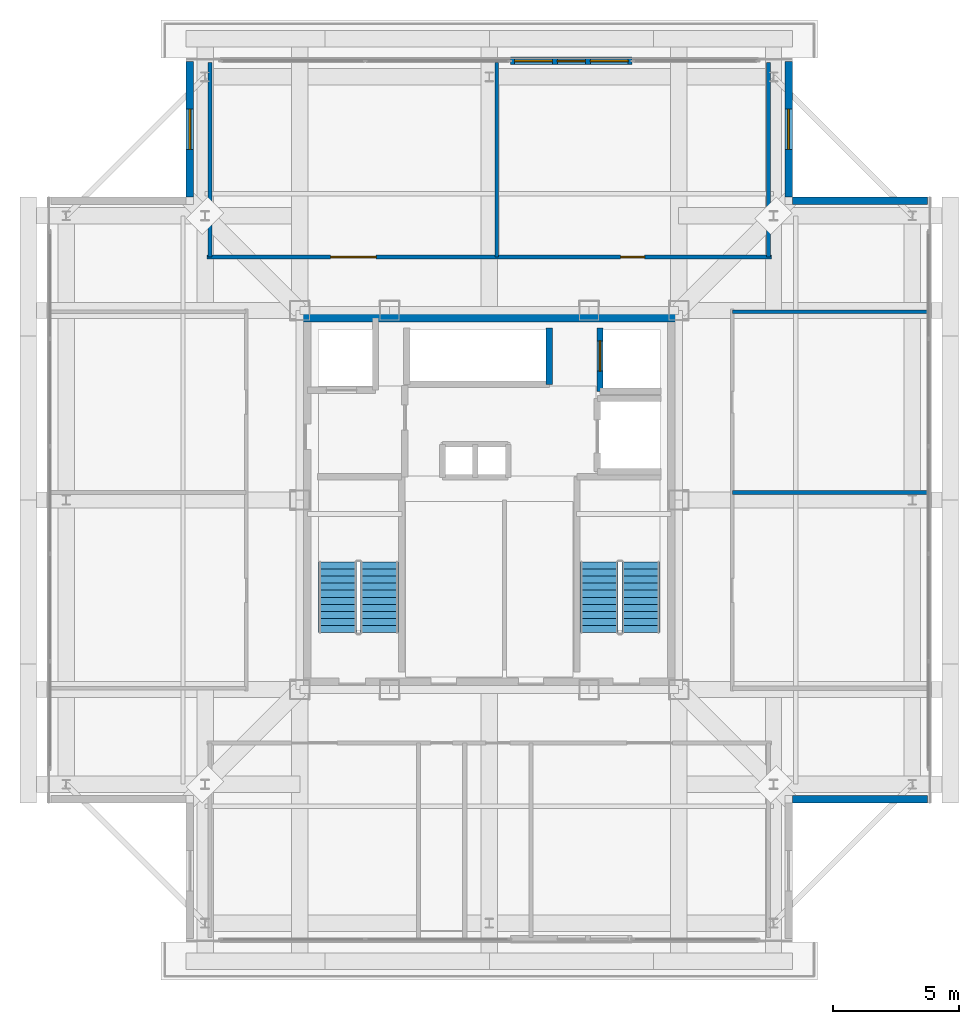
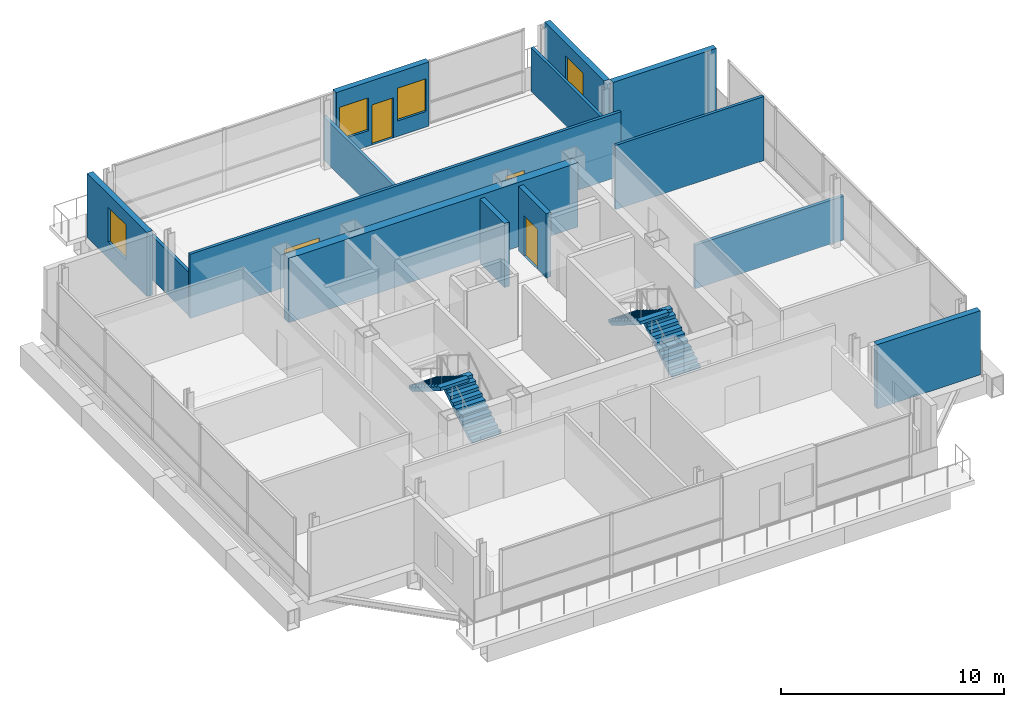
# One storey, part 10 of 15: 14 walls, 4 doors, 4 stair flights, 4 windows, 8 openings, 2 elements without a shape of their own.
"""IFC4 building model written with IfcOpenShell, lengths in metres."""

from ifc_helpers import new_model, si_unit, direction, frame, frame_2d, origin, place, context, subcontext, project, spatial, polyline, rectangle, outline, extrude, material, layer, layer_set, type_object, element, fill, aggregate, save


model = new_model("IFC4")

# Units and contexts
model_context = context("Model", 3, precision=1e-05, world=origin(), true_north=direction((0.0, 1.0)))
body_context = subcontext(model_context, "Body", "Model", "MODEL_VIEW")
ifc_project = project(units=[si_unit("LENGTHUNIT", "METRE"), si_unit("AREAUNIT", "SQUARE_METRE"), si_unit("VOLUMEUNIT", "CUBIC_METRE"), si_unit("PLANEANGLEUNIT", "RADIAN"), si_unit("MASSUNIT", "GRAM", prefix="KILO")], contexts=[model_context])

# Site, building, storey
site_placement = place(None, origin())
site = spatial("IfcSite", under=ifc_project, at=site_placement, CompositionType="ELEMENT")
building_placement = place(site_placement, origin())
building = spatial("IfcBuilding", under=site, at=building_placement, Name="Trevonay Congress Spire", CompositionType="ELEMENT")
storey_placement = place(building_placement, frame((0.0, 0.0, 300.800048828125)))
storey = spatial("IfcBuildingStorey", under=building, at=storey_placement, Name="L79", CompositionType="ELEMENT", Elevation=300.800048828125)

# Wall
ifc_material_1 = material(Name="Concrete C50/60", Category="concrete")
ifc_layer_1 = layer(ifc_material_1, 0.449951171875, Name="Concrete C50/60")
ifc_layer_set_1 = layer_set([ifc_layer_1], Name="Concrete C50/60")
wall_type_1 = type_object("IfcWallType", Name="WAL-CORE-450", PredefinedType="SHEAR", material=ifc_layer_set_1)
wall_1_placement = place(storey_placement, frame((-7.5, 7.27490234375, 0.0), z_axis=(0.0, 0.0, 1.0), x_axis=(1.0, 0.0, 0.0)))
element("IfcWall", 1, at=wall_1_placement, inside=storey, type_object=wall_type_1, Name="L79 North structural core shear wall", PredefinedType="SHEAR", context=body_context, shape_type="SweptSolid", body=[
    extrude(rectangle(XDim=15.0, YDim=0.449951171875, at=frame_2d((7.5, 0.0))), origin(), (0.0, 0.0, 1.0), 3.52001953125),
])

# Wall, openings, doors
ifc_material_2 = material(Name="Concrete C40/50", Category="concrete")
ifc_layer_2 = layer(ifc_material_2, 0.14990234375, Name="Concrete C40/50")
ifc_layer_set_2 = layer_set([ifc_layer_2], Name="Concrete C40/50")
wall_type_2 = type_object("IfcWallType", Name="WAL-CORR-150", PredefinedType="PARTITIONING", material=ifc_layer_set_2)
wall_2_placement = place(storey_placement, frame((-11.169921875, 9.6201171875, 0.0), z_axis=(0.0, 0.0, 1.0), x_axis=(1.0, 0.0, 0.0)))
wall_2 = element("IfcWall", 2, at=wall_2_placement, inside=storey, type_object=wall_type_2, Name="L79 interior wall WP-L79N-COR", PredefinedType="PARTITIONING", context=body_context, shape_type="SweptSolid", body=[
    extrude(rectangle(XDim=22.33984375, YDim=0.14990234375, at=frame_2d((11.169921875, 0.0))), origin(), (0.0, 0.0, 1.0), 3.52001953125),
])
opening_1_placement = place(wall_2_placement, frame((4.89501953125, 0.0, 0.0)))
opening_1 = element("IfcOpeningElement", 3, at=opening_1_placement, cuts=wall_2, Name="Opening D09", PredefinedType="OPENING", context=body_context, shape_type="SweptSolid", body=[
    extrude(rectangle(XDim=1.800048828125, YDim=2.080078125, at=frame_2d((0.89990234375, 1.0400390625))), frame((0.0, 0.0849609375, 0.0), z_axis=(0.0, -1.0, 0.0), x_axis=(1.0, 0.0, 0.0)), (0.0, 0.0, 1.0), 0.169921875),
])
opening_2_placement = place(wall_2_placement, frame((16.3701171875, 0.0, 0.0)))
opening_2 = element("IfcOpeningElement", 4, at=opening_2_placement, cuts=wall_2, Name="Opening D07", PredefinedType="OPENING", context=body_context, shape_type="SweptSolid", body=[
    extrude(rectangle(XDim=0.949951171875, YDim=2.06005859375, at=frame_2d((0.47509765625, 1.030029296875))), frame((0.0, 0.0849609375, 0.0), z_axis=(0.0, -1.0, 0.0), x_axis=(1.0, 0.0, 0.0)), (0.0, 0.0, 1.0), 0.169921875),
])
ifc_material_3 = material(Name="Pale Anodised Aluminium EN AW-6063-T6", Category="aluminium")
door_type_1 = type_object("IfcDoorType", Name="DOR-CONF-DBL", OperationType="DOUBLE_DOOR_SINGLE_SWING", PredefinedType="DOOR", material=ifc_material_3)
door_1_placement = place(opening_1_placement, origin())
door_1 = element("IfcDoor", 5, at=door_1_placement, inside=storey, type_object=door_type_1, Name="L79 Sky Horizon Viewing Gallery Door", OperationType="DOUBLE_DOOR_SINGLE_SWING", OverallHeight=2.080078125, OverallWidth=1.800048828125, PredefinedType="DOOR", context=body_context, shape_type="SweptSolid", body=[
    extrude(rectangle(XDim=1.800048828125, YDim=2.080078125, at=frame_2d((0.89990234375, 1.0400390625))), frame((0.0, 0.02490234375, 0.0), z_axis=(0.0, -1.0, 0.0), x_axis=(1.0, 0.0, 0.0)), (0.0, 0.0, 1.0), 0.050048828125),
])
fill(opening_1, door_1)
door_type_2 = type_object("IfcDoorType", Name="DOR-OFFICE-95", OperationType="NOTDEFINED", PredefinedType="DOOR", material=ifc_material_3)
door_2_placement = place(opening_2_placement, origin())
door_2 = element("IfcDoor", 6, at=door_2_placement, inside=storey, type_object=door_type_2, Name="L79 Observatory Server Room Door", OperationType="SINGLE_SWING_LEFT", OverallHeight=2.06005859375, OverallWidth=0.949951171875, PredefinedType="DOOR", context=body_context, shape_type="SweptSolid", body=[
    extrude(rectangle(XDim=0.949951171875, YDim=2.06005859375, at=frame_2d((0.47509765625, 1.030029296875))), frame((0.0, 0.02490234375, 0.0), z_axis=(0.0, -1.0, 0.0), x_axis=(1.0, 0.0, 0.0)), (0.0, 0.0, 1.0), 0.050048828125),
])
fill(opening_2, door_2)

# Wall, openings, door, windows
ifc_material_4 = material(Name="Precast concrete C40/50", Category="concrete")
ifc_layer_3 = layer(ifc_material_4, 0.300048828125, Name="Precast concrete C40/50")
ifc_layer_set_3 = layer_set([ifc_layer_3], Name="Precast concrete C40/50")
wall_type_3 = type_object("IfcWallType", Name="WAL-EXT-PRECAST-300", PredefinedType="SOLIDWALL", material=ifc_layer_set_3)
wall_3_placement = place(storey_placement, frame((0.85009765625, 17.3798828125, 0.0), z_axis=(0.0, 0.0, 1.0), x_axis=(1.0, 0.0, 0.0)))
wall_3 = element("IfcWall", 7, at=wall_3_placement, inside=storey, type_object=wall_type_3, Name="L79 N glazed balcony portal exterior wall", PredefinedType="SOLIDWALL", context=body_context, shape_type="SweptSolid", body=[
    extrude(rectangle(XDim=4.7998046875, YDim=0.300048828125, at=frame_2d((2.39990234375, 0.0))), origin(), (0.0, 0.0, 1.0), 3.52001953125),
])
opening_3_placement = place(wall_3_placement, frame((1.85009765625, 0.0, 0.0)))
opening_3 = element("IfcOpeningElement", 8, at=opening_3_placement, cuts=wall_3, Name="Opening D03", PredefinedType="OPENING", context=body_context, shape_type="SweptSolid", body=[
    extrude(rectangle(XDim=1.10009765625, YDim=2.199951171875, at=frame_2d((0.550048828125, 1.10009765625))), frame((0.0, 0.16015625, 0.0), z_axis=(0.0, -1.0, 0.0), x_axis=(1.0, 0.0, 0.0)), (0.0, 0.0, 1.0), 0.320068359375),
])
opening_4_placement = place(wall_3_placement, frame((0.14990234375, 0.0, 0.85009765625)))
opening_4 = element("IfcOpeningElement", 9, at=opening_4_placement, cuts=wall_3, Name="Opening WN03", PredefinedType="OPENING", context=body_context, shape_type="SweptSolid", body=[
    extrude(rectangle(XDim=1.5, YDim=1.800048828125, at=frame_2d((0.75, 0.89990234375))), frame((0.0, 0.16015625, 0.0), z_axis=(0.0, -1.0, 0.0), x_axis=(1.0, 0.0, 0.0)), (0.0, 0.0, 1.0), 0.320068359375),
])
opening_5_placement = place(wall_3_placement, frame((3.14990234375, 0.0, 0.85009765625)))
opening_5 = element("IfcOpeningElement", 10, at=opening_5_placement, cuts=wall_3, Name="Opening WN03", PredefinedType="OPENING", context=body_context, shape_type="SweptSolid", body=[
    extrude(rectangle(XDim=1.5, YDim=1.800048828125, at=frame_2d((0.75, 0.89990234375))), frame((0.0, 0.16015625, 0.0), z_axis=(0.0, -1.0, 0.0), x_axis=(1.0, 0.0, 0.0)), (0.0, 0.0, 1.0), 0.320068359375),
])
door_type_3 = type_object("IfcDoorType", Name="DOR-EXT-BAL-110", OperationType="NOTDEFINED", PredefinedType="DOOR", material=ifc_material_3)
door_3_placement = place(opening_3_placement, origin())
door_3 = element("IfcDoor", 11, at=door_3_placement, inside=storey, type_object=door_type_3, Name="L79 N glazed outdoor terrace and balcony door", OperationType="SINGLE_SWING_RIGHT", OverallHeight=2.199951171875, OverallWidth=1.10009765625, PredefinedType="DOOR", context=body_context, shape_type="SweptSolid", body=[
    extrude(rectangle(XDim=1.10009765625, YDim=2.199951171875, at=frame_2d((0.550048828125, 1.10009765625))), frame((0.0, 0.02490234375, 0.0), z_axis=(0.0, -1.0, 0.0), x_axis=(1.0, 0.0, 0.0)), (0.0, 0.0, 1.0), 0.050048828125),
])
fill(opening_3, door_3)
ifc_material_5 = material(Name="Insulated Low-E Vision Glass IGU", Category="glass")
window_type_1 = type_object("IfcWindowType", Name="WIN-NOTCH-150X180", PartitioningType="SINGLE_PANEL", PredefinedType="WINDOW", material=ifc_material_5)
window_1_placement = place(opening_4_placement, origin())
window_1 = element("IfcWindow", 12, at=window_1_placement, inside=storey, type_object=window_type_1, Name="L79 N balcony sidelight window L", OverallHeight=1.800048828125, OverallWidth=1.5, PartitioningType="SINGLE_PANEL", PredefinedType="WINDOW", context=body_context, shape_type="SweptSolid", body=[
    extrude(rectangle(XDim=1.5, YDim=1.800048828125, at=frame_2d((0.75, 0.89990234375))), frame((0.0, 0.030029296875, 0.0), z_axis=(0.0, -1.0, 0.0), x_axis=(1.0, 0.0, 0.0)), (0.0, 0.0, 1.0), 0.06005859375),
])
fill(opening_4, window_1)
window_2_placement = place(opening_5_placement, origin())
window_2 = element("IfcWindow", 13, at=window_2_placement, inside=storey, type_object=window_type_1, Name="L79 N balcony sidelight window R", OverallHeight=1.800048828125, OverallWidth=1.5, PartitioningType="SINGLE_PANEL", PredefinedType="WINDOW", context=body_context, shape_type="SweptSolid", body=[
    extrude(rectangle(XDim=1.5, YDim=1.800048828125, at=frame_2d((0.75, 0.89990234375))), frame((0.0, 0.030029296875, 0.0), z_axis=(0.0, -1.0, 0.0), x_axis=(1.0, 0.0, 0.0)), (0.0, 0.0, 1.0), 0.06005859375),
])
fill(opening_5, window_2)

# Wall
wall_4_placement = place(storey_placement, frame((17.35009765625, -11.85009765625, 0.0), z_axis=(0.0, 0.0, 1.0), x_axis=(-1.0, 0.0, 0.0)))
element("IfcWall", 14, at=wall_4_placement, inside=storey, type_object=wall_type_3, Name="L79 SE re-entrant notch exterior wall 2", PredefinedType="SOLIDWALL", context=body_context, shape_type="SweptSolid", body=[
    extrude(rectangle(XDim=5.35009765625, YDim=0.300048828125, at=frame_2d((2.675048828125, 0.0))), origin(), (0.0, 0.0, 1.0), 3.52001953125),
])

# Wall, opening, window
wall_5_placement = place(storey_placement, frame((11.85009765625, 17.35009765625, 0.0), z_axis=(0.0, 0.0, 1.0), x_axis=(0.0, -1.0, 0.0)))
wall_5 = element("IfcWall", 15, at=wall_5_placement, inside=storey, type_object=wall_type_3, Name="L79 NE re-entrant notch exterior wall 1", PredefinedType="SOLIDWALL", context=body_context, shape_type="SweptSolid", body=[
    extrude(rectangle(XDim=5.35009765625, YDim=0.300048828125, at=frame_2d((2.675048828125, 0.0))), origin(), (0.0, 0.0, 1.0), 3.52001953125),
])
opening_6_placement = place(wall_5_placement, frame((1.875, 0.0, 0.89990234375)))
opening_6 = element("IfcOpeningElement", 16, at=opening_6_placement, cuts=wall_5, Name="Opening WN04", PredefinedType="OPENING", context=body_context, shape_type="SweptSolid", body=[
    extrude(rectangle(XDim=1.60009765625, YDim=1.89990234375, at=frame_2d((0.800048828125, 0.949951171875))), frame((0.0, 0.16015625, 0.0), z_axis=(0.0, -1.0, 0.0), x_axis=(1.0, 0.0, 0.0)), (0.0, 0.0, 1.0), 0.320068359375),
])
window_type_2 = type_object("IfcWindowType", Name="WIN-CROWN-160X190", PartitioningType="SINGLE_PANEL", PredefinedType="WINDOW", material=ifc_material_5)
window_3_placement = place(opening_6_placement, origin())
window_3 = element("IfcWindow", 17, at=window_3_placement, inside=storey, type_object=window_type_2, Name="L79 NE corner notch window", OverallHeight=1.89990234375, OverallWidth=1.60009765625, PartitioningType="SINGLE_PANEL", PredefinedType="WINDOW", context=body_context, shape_type="SweptSolid", body=[
    extrude(rectangle(XDim=1.60009765625, YDim=1.89990234375, at=frame_2d((0.800048828125, 0.949951171875))), frame((0.0, 0.030029296875, 0.0), z_axis=(0.0, -1.0, 0.0), x_axis=(1.0, 0.0, 0.0)), (0.0, 0.0, 1.0), 0.06005859375),
])
fill(opening_6, window_3)

# Wall
wall_6_placement = place(storey_placement, frame((17.35009765625, 11.85009765625, 0.0), z_axis=(0.0, 0.0, 1.0), x_axis=(-1.0, 0.0, 0.0)))
element("IfcWall", 18, at=wall_6_placement, inside=storey, type_object=wall_type_3, Name="L79 NE re-entrant notch exterior wall 2", PredefinedType="SOLIDWALL", context=body_context, shape_type="SweptSolid", body=[
    extrude(rectangle(XDim=5.35009765625, YDim=0.300048828125, at=frame_2d((2.675048828125, 0.0))), origin(), (0.0, 0.0, 1.0), 3.52001953125),
])

# Wall, opening, window
wall_7_placement = place(storey_placement, frame((-11.85009765625, 17.35009765625, 0.0), z_axis=(0.0, 0.0, 1.0), x_axis=(0.0, -1.0, 0.0)))
wall_7 = element("IfcWall", 19, at=wall_7_placement, inside=storey, type_object=wall_type_3, Name="L79 NW re-entrant notch exterior wall 1", PredefinedType="SOLIDWALL", context=body_context, shape_type="SweptSolid", body=[
    extrude(rectangle(XDim=5.35009765625, YDim=0.300048828125, at=frame_2d((2.675048828125, 0.0))), origin(), (0.0, 0.0, 1.0), 3.52001953125),
])
opening_7_placement = place(wall_7_placement, frame((1.875, 0.0, 0.89990234375)))
opening_7 = element("IfcOpeningElement", 20, at=opening_7_placement, cuts=wall_7, Name="Opening WN04", PredefinedType="OPENING", context=body_context, shape_type="SweptSolid", body=[
    extrude(rectangle(XDim=1.60009765625, YDim=1.89990234375, at=frame_2d((0.800048828125, 0.949951171875))), frame((0.0, 0.16015625, 0.0), z_axis=(0.0, -1.0, 0.0), x_axis=(1.0, 0.0, 0.0)), (0.0, 0.0, 1.0), 0.320068359375),
])
window_4_placement = place(opening_7_placement, origin())
window_4 = element("IfcWindow", 21, at=window_4_placement, inside=storey, type_object=window_type_2, Name="L79 NW corner notch window", OverallHeight=1.89990234375, OverallWidth=1.60009765625, PartitioningType="SINGLE_PANEL", PredefinedType="WINDOW", context=body_context, shape_type="SweptSolid", body=[
    extrude(rectangle(XDim=1.60009765625, YDim=1.89990234375, at=frame_2d((0.800048828125, 0.949951171875))), frame((0.0, 0.030029296875, 0.0), z_axis=(0.0, -1.0, 0.0), x_axis=(1.0, 0.0, 0.0)), (0.0, 0.0, 1.0), 0.06005859375),
])
fill(opening_7, window_4)

# Walls
ifc_layer_4 = layer(ifc_material_2, 0.14990234375, Name="Concrete C40/50")
ifc_layer_set_4 = layer_set([ifc_layer_4], Name="Concrete C40/50")
wall_type_4 = type_object("IfcWallType", Name="WAL-PART-150", PredefinedType="PARTITIONING", material=ifc_layer_set_4)
for number, where, z_axis, x_axis, name in (
    (22, (-11.050048828125, 9.6201171875, 0.0), (0.0, 0.0, 1.0), (0.0, 1.0, 0.0), "L79 interior wall WP-L79N-DIV1"),
    (23, (0.300048828125, 9.6201171875, 0.0), (0.0, 0.0, 1.0), (0.0, 1.0, 0.0), "L79 interior wall WP-L79N-DIV2"),
    (24, (11.050048828125, 9.6201171875, 0.0), (0.0, 0.0, 1.0), (0.0, 1.0, 0.0), "L79 interior wall WP-L79N-DIV3"),
):
    element("IfcWall", number, at=place(storey_placement, frame(where, z_axis=z_axis, x_axis=x_axis)), inside=storey, type_object=wall_type_4, Name=name, PredefinedType="PARTITIONING", context=body_context, shape_type="SweptSolid", body=[
        extrude(rectangle(XDim=7.699951171875, YDim=0.14990234375, at=frame_2d((3.85009765625, 0.0))), origin(), (0.0, 0.0, 1.0), 2.39501953125),
    ])
wall_8_placement = place(storey_placement, frame((9.6201171875, 7.449951171875, 0.0), z_axis=(0.0, 0.0, 1.0), x_axis=(1.0, 0.0, 0.0)))
element("IfcWall", 25, at=wall_8_placement, inside=storey, type_object=wall_type_4, Name="L79 interior wall WP-L79E-DIV3", PredefinedType="PARTITIONING", context=body_context, shape_type="SweptSolid", body=[
    extrude(rectangle(XDim=7.699951171875, YDim=0.14990234375, at=frame_2d((3.85009765625, 0.0))), origin(), (0.0, 0.0, 1.0), 3.52001953125),
])
ifc_layer_5 = layer(ifc_material_2, 0.25, Name="Concrete C40/50")
ifc_layer_set_5 = layer_set([ifc_layer_5], Name="Concrete C40/50")
wall_type_5 = type_object("IfcWallType", Name="WAL-SHAFT-250", PredefinedType="SHEAR", material=ifc_layer_set_5)
wall_9_placement = place(storey_placement, frame((2.3798828125, 4.580078125, 0.0), z_axis=(0.0, 0.0, 1.0), x_axis=(0.0, 1.0, 0.0)))
element("IfcWall", 26, at=wall_9_placement, inside=storey, type_object=wall_type_5, Name="L79 interior shaft wall WSH-L79-B3-E", PredefinedType="SHEAR", context=body_context, shape_type="SweptSolid", body=[
    extrude(rectangle(XDim=2.219970703125, YDim=0.25, at=frame_2d((1.10986328125, 0.0))), origin(), (0.0, 0.0, 1.0), 3.52001953125),
])

# Wall, opening, door
wall_10_placement = place(storey_placement, frame((4.3798828125, 4.300048828125, 0.0), z_axis=(0.0, 0.0, 1.0), x_axis=(0.0, 1.0, 0.0)))
wall_10 = element("IfcWall", 27, at=wall_10_placement, inside=storey, type_object=wall_type_5, Name="L79 interior shaft wall WSH-L79-FF2-W", PredefinedType="SHEAR", context=body_context, shape_type="SweptSolid", body=[
    extrude(rectangle(XDim=2.5, YDim=0.25, at=frame_2d((1.25, 0.0))), origin(), (0.0, 0.0, 1.0), 3.52001953125),
])
opening_8_placement = place(wall_10_placement, frame((0.800048828125, 0.0, 0.0)))
opening_8 = element("IfcOpeningElement", 28, at=opening_8_placement, cuts=wall_10, Name="Opening LD04", PredefinedType="OPENING", context=body_context, shape_type="SweptSolid", body=[
    extrude(rectangle(XDim=1.199951171875, YDim=2.199951171875, at=frame_2d((0.60009765625, 1.10009765625))), frame((0.0, 0.135009765625, 0.0), z_axis=(0.0, -1.0, 0.0), x_axis=(1.0, 0.0, 0.0)), (0.0, 0.0, 1.0), 0.27001953125),
])
ifc_material_6 = material(Name="Steel ASTM A572 Grade 50", Category="steel")
door_type_4 = type_object("IfcDoorType", Name="DOR-LIFT-LD04", OperationType="DOUBLE_DOOR_SLIDING", PredefinedType="DOOR", material=ifc_material_6)
door_4_placement = place(opening_8_placement, origin())
door_4 = element("IfcDoor", 29, at=door_4_placement, inside=storey, type_object=door_type_4, Name="L79 Firefighting lift FFL-02 landing door", OperationType="DOUBLE_DOOR_SLIDING", OverallHeight=2.199951171875, OverallWidth=1.199951171875, PredefinedType="DOOR", context=body_context, shape_type="SweptSolid", body=[
    extrude(rectangle(XDim=1.199951171875, YDim=2.199951171875, at=frame_2d((0.60009765625, 1.10009765625))), frame((0.0, 0.02490234375, 0.0), z_axis=(0.0, -1.0, 0.0), x_axis=(1.0, 0.0, 0.0)), (0.0, 0.0, 1.0), 0.050048828125),
])
fill(opening_8, door_4)

# Wall
ifc_layer_6 = layer(ifc_material_2, 0.1650390625, Name="Concrete C40/50")
ifc_layer_set_6 = layer_set([ifc_layer_6], Name="Concrete C40/50")
wall_type_6 = type_object("IfcWallType", Name="WAL-WET-165", PredefinedType="PLUMBINGWALL", material=ifc_layer_set_6)
wall_11_placement = place(storey_placement, frame((9.6201171875, 0.300048828125, 0.0), z_axis=(0.0, 0.0, 1.0), x_axis=(1.0, 0.0, 0.0)))
element("IfcWall", 30, at=wall_11_placement, inside=storey, type_object=wall_type_6, Name="L79 interior wall WP-L79E-DIV2", PredefinedType="PLUMBINGWALL", context=body_context, shape_type="SweptSolid", body=[
    extrude(rectangle(XDim=7.699951171875, YDim=0.1650390625, at=frame_2d((3.85009765625, 0.0))), origin(), (0.0, 0.0, 1.0), 2.39501953125),
])

# Stair, stair flights
stair_type_1 = type_object("IfcStairType", Name="STR-ST-1", PredefinedType="HALF_TURN_STAIR", material=ifc_material_2)
stair_1_placement = place(storey_placement, origin())
stair_1 = element("IfcStair", 31, at=stair_1_placement, inside=storey, type_object=stair_type_1, Name="L79 Protected Exit Stair ST-1", PredefinedType="HALF_TURN_STAIR")
stair_flight_type_1 = type_object("IfcStairFlightType", Name="SFL-ST-1", PredefinedType="STRAIGHT", material=ifc_material_2)
stair_flight_1_placement = place(storey_placement, frame((-4.35009765625, -5.25, 0.0), z_axis=(0.0, 0.0, 1.0), x_axis=(0.0, 1.0, 0.0)))
stair_flight_1 = element("IfcStairFlight", 32, at=stair_flight_1_placement, type_object=stair_flight_type_1, Name="ST-1 flight 1", NumberOfRisers=11, NumberOfTreads=10, PredefinedType="STRAIGHT", RiserHeight=0.172727273, TreadLength=0.28, context=body_context, shape_type="SweptSolid", body=[
    extrude(outline(polyline([(0.0, 0.0), (0.0, 0.172607421875), (0.280029296875, 0.172607421875), (0.280029296875, 0.345458984375), (0.56005859375, 0.345458984375), (0.56005859375, 0.51806640625), (0.840087890625, 0.51806640625), (0.840087890625, 0.69091796875), (1.1201171875, 0.69091796875), (1.1201171875, 0.863525390625), (1.39990234375, 0.863525390625), (1.39990234375, 1.036376953125), (1.679931640625, 1.036376953125), (1.679931640625, 1.208984375), (1.9599609375, 1.208984375), (1.9599609375, 1.3818359375), (2.239990234375, 1.3818359375), (2.239990234375, 1.554443359375), (2.52001953125, 1.554443359375), (2.52001953125, 1.727294921875), (2.800048828125, 1.727294921875), (2.800048828125, 1.89990234375), (2.800048828125, 1.551025390625), (0.285400390625, 0.0), (0.0, 0.0)])), frame((0.0, 0.75, 0.0), z_axis=(0.0, -1.0, 0.0), x_axis=(1.0, 0.0, 0.0)), (0.0, 0.0, 1.0), 1.5),
])
stair_flight_2_placement = place(storey_placement, frame((-6.0, -2.449951171875, 1.89990234375), z_axis=(0.0, 0.0, 1.0), x_axis=(0.0, -1.0, 0.0)))
stair_flight_2 = element("IfcStairFlight", 33, at=stair_flight_2_placement, type_object=stair_flight_type_1, Name="ST-1 flight 2", NumberOfRisers=11, NumberOfTreads=10, PredefinedType="STRAIGHT", RiserHeight=0.172727273, TreadLength=0.28, context=body_context, shape_type="SweptSolid", body=[
    extrude(outline(polyline([(0.0, 0.0), (0.0, 0.172607421875), (0.280029296875, 0.172607421875), (0.280029296875, 0.345458984375), (0.56005859375, 0.345458984375), (0.56005859375, 0.51806640625), (0.840087890625, 0.51806640625), (0.840087890625, 0.69091796875), (1.1201171875, 0.69091796875), (1.1201171875, 0.863525390625), (1.39990234375, 0.863525390625), (1.39990234375, 1.036376953125), (1.679931640625, 1.036376953125), (1.679931640625, 1.208984375), (1.9599609375, 1.208984375), (1.9599609375, 1.3818359375), (2.239990234375, 1.3818359375), (2.239990234375, 1.554443359375), (2.52001953125, 1.554443359375), (2.52001953125, 1.727294921875), (2.800048828125, 1.727294921875), (2.800048828125, 1.89990234375), (2.800048828125, 1.551025390625), (0.285400390625, 0.0), (0.0, 0.0)])), frame((0.0, 0.75, 0.0), z_axis=(0.0, -1.0, 0.0), x_axis=(1.0, 0.0, 0.0)), (0.0, 0.0, 1.0), 1.5),
])
aggregate(stair_1, [stair_flight_1, stair_flight_2])

stair_type_2 = type_object("IfcStairType", Name="STR-ST-2", PredefinedType="HALF_TURN_STAIR", material=ifc_material_2)
stair_2_placement = place(storey_placement, origin())
stair_2 = element("IfcStair", 34, at=stair_2_placement, inside=storey, type_object=stair_type_2, Name="L79 Protected Exit Stair ST-2", PredefinedType="HALF_TURN_STAIR")
stair_flight_type_2 = type_object("IfcStairFlightType", Name="SFL-ST-2", PredefinedType="STRAIGHT", material=ifc_material_2)
stair_flight_3_placement = place(storey_placement, frame((6.0, -5.25, 0.0), z_axis=(0.0, 0.0, 1.0), x_axis=(0.0, 1.0, 0.0)))
stair_flight_3 = element("IfcStairFlight", 35, at=stair_flight_3_placement, type_object=stair_flight_type_2, Name="ST-2 flight 1", NumberOfRisers=11, NumberOfTreads=10, PredefinedType="STRAIGHT", RiserHeight=0.172727273, TreadLength=0.28, context=body_context, shape_type="SweptSolid", body=[
    extrude(outline(polyline([(0.0, 0.0), (0.0, 0.172607421875), (0.280029296875, 0.172607421875), (0.280029296875, 0.345458984375), (0.56005859375, 0.345458984375), (0.56005859375, 0.51806640625), (0.840087890625, 0.51806640625), (0.840087890625, 0.69091796875), (1.1201171875, 0.69091796875), (1.1201171875, 0.863525390625), (1.39990234375, 0.863525390625), (1.39990234375, 1.036376953125), (1.679931640625, 1.036376953125), (1.679931640625, 1.208984375), (1.9599609375, 1.208984375), (1.9599609375, 1.3818359375), (2.239990234375, 1.3818359375), (2.239990234375, 1.554443359375), (2.52001953125, 1.554443359375), (2.52001953125, 1.727294921875), (2.800048828125, 1.727294921875), (2.800048828125, 1.89990234375), (2.800048828125, 1.551025390625), (0.285400390625, 0.0), (0.0, 0.0)])), frame((0.0, 0.75, 0.0), z_axis=(0.0, -1.0, 0.0), x_axis=(1.0, 0.0, 0.0)), (0.0, 0.0, 1.0), 1.5),
])
stair_flight_4_placement = place(storey_placement, frame((4.35009765625, -2.449951171875, 1.89990234375), z_axis=(0.0, 0.0, 1.0), x_axis=(0.0, -1.0, 0.0)))
stair_flight_4 = element("IfcStairFlight", 36, at=stair_flight_4_placement, type_object=stair_flight_type_2, Name="ST-2 flight 2", NumberOfRisers=11, NumberOfTreads=10, PredefinedType="STRAIGHT", RiserHeight=0.172727273, TreadLength=0.28, context=body_context, shape_type="SweptSolid", body=[
    extrude(outline(polyline([(0.0, 0.0), (0.0, 0.172607421875), (0.280029296875, 0.172607421875), (0.280029296875, 0.345458984375), (0.56005859375, 0.345458984375), (0.56005859375, 0.51806640625), (0.840087890625, 0.51806640625), (0.840087890625, 0.69091796875), (1.1201171875, 0.69091796875), (1.1201171875, 0.863525390625), (1.39990234375, 0.863525390625), (1.39990234375, 1.036376953125), (1.679931640625, 1.036376953125), (1.679931640625, 1.208984375), (1.9599609375, 1.208984375), (1.9599609375, 1.3818359375), (2.239990234375, 1.3818359375), (2.239990234375, 1.554443359375), (2.52001953125, 1.554443359375), (2.52001953125, 1.727294921875), (2.800048828125, 1.727294921875), (2.800048828125, 1.89990234375), (2.800048828125, 1.551025390625), (0.285400390625, 0.0), (0.0, 0.0)])), frame((0.0, 0.75, 0.0), z_axis=(0.0, -1.0, 0.0), x_axis=(1.0, 0.0, 0.0)), (0.0, 0.0, 1.0), 1.5),
])
aggregate(stair_2, [stair_flight_3, stair_flight_4])

save(model, "model.ifc")
